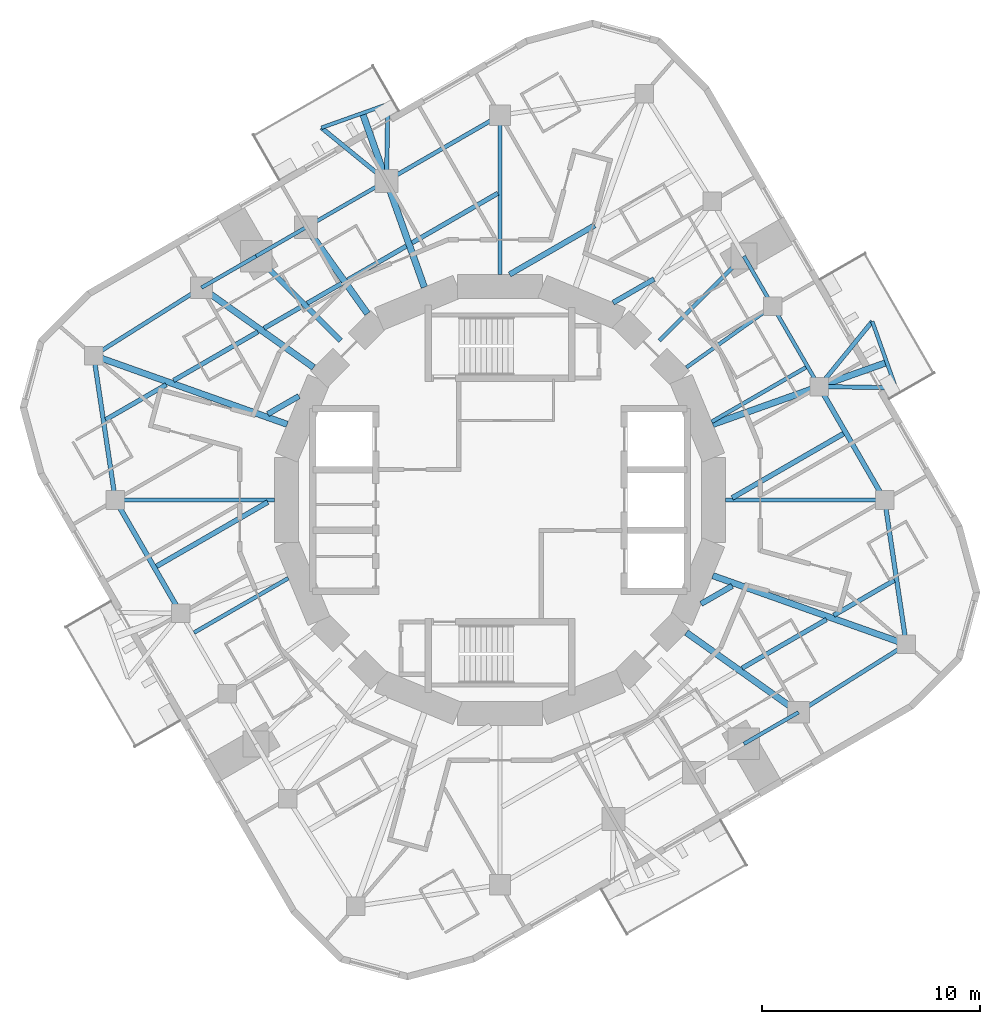
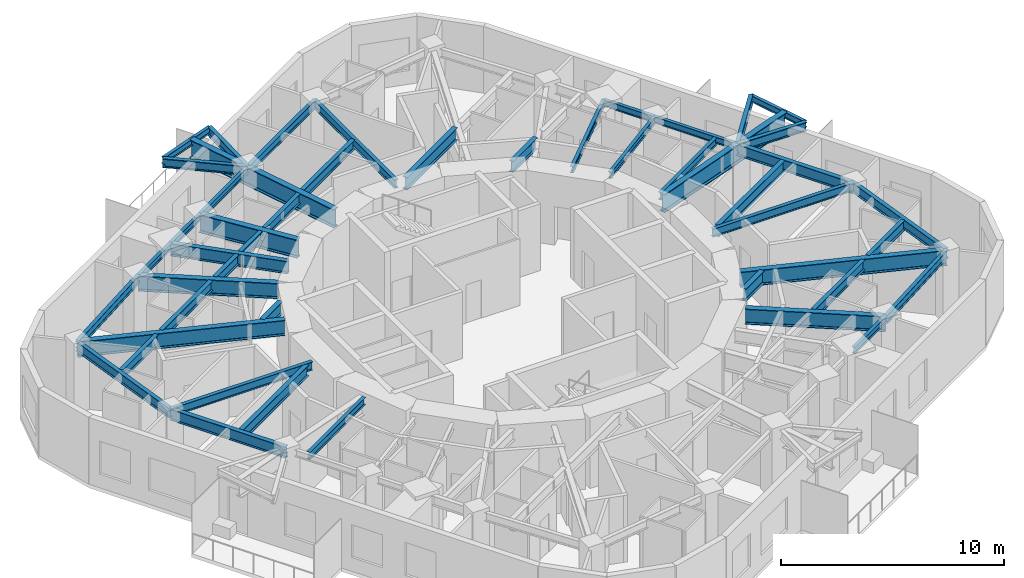
# One storey, part 2 of 11: 48 beams.
"""IFC4 building model written with IfcOpenShell, lengths in metres."""

from ifc_helpers import new_model, si_unit, direction, frame, origin, origin_2d, place, context, subcontext, project, spatial, i_section, extrude, material, material_profile, profile_set, type_object, element, save


model = new_model("IFC4")

# Units and contexts
model_context = context("Model", 3, precision=1e-05, world=origin(), true_north=direction((0.0, 1.0)))
body_context = subcontext(model_context, "Body", "Model", "MODEL_VIEW")
ifc_project = project(units=[si_unit("LENGTHUNIT", "METRE"), si_unit("AREAUNIT", "SQUARE_METRE"), si_unit("VOLUMEUNIT", "CUBIC_METRE"), si_unit("PLANEANGLEUNIT", "RADIAN"), si_unit("MASSUNIT", "GRAM", prefix="KILO")], contexts=[model_context])

# Site, building, storey
site_placement = place(None, origin())
site = spatial("IfcSite", under=ifc_project, at=site_placement, CompositionType="ELEMENT")
building_placement = place(site_placement, origin())
building = spatial("IfcBuilding", under=site, at=building_placement, Name="Nakasero Lantern House", CompositionType="ELEMENT")
storey_placement = place(building_placement, frame((0.0, 0.0, 230.800048828125)))
storey = spatial("IfcBuildingStorey", under=building, at=storey_placement, Name="L56", CompositionType="ELEMENT", Elevation=230.800048828125)

# Beams
ifc_material_1 = material(Name="Steel S355", Category="steel")
ifc_material_profile_1 = material_profile(ifc_material_1, i_section(OverallWidth=0.199462890625, OverallDepth=0.491943359375, WebThickness=0.01806640625, FlangeThickness=0.031982421875, FilletRadius=0.01025390625, at=origin_2d()), Name="UB 457x191x161")
ifc_profile_set_1 = profile_set([ifc_material_profile_1], Name="Steel S355")
beam_type_1 = type_object("IfcBeamType", Name="Balcony splay beam UB 457x191x161", PredefinedType="BEAM", material=ifc_profile_set_1)
beam_1_placement = place(storey_placement, frame((14.657958984375, 5.211669921875, 3.404052734375), z_axis=(0.632127727159, 0.774864205236, 0.0), x_axis=(-0.774864205236, 0.632127727159, 0.0)))
element("IfcBeam", 1, at=beam_1_placement, inside=storey, type_object=beam_type_1, Name="Balcony splay beam L57 B6-C04A", PredefinedType="BEAM", context=body_context, shape_type="SweptSolid", body=[
    extrude(i_section(OverallWidth=0.199462890625, OverallDepth=0.491943359375, WebThickness=0.01806640625, FlangeThickness=0.031982421875, FilletRadius=0.01025390625, at=origin_2d()), origin(), (0.0, 0.0, 1.0), 3.858642578125),
])
beam_2_placement = place(storey_placement, frame((14.657958984375, 5.211669921875, 3.404052734375), z_axis=(0.99985827803, -0.016835196893, 0.0), x_axis=(0.016835196893, 0.99985827803, 0.0)))
element("IfcBeam", 2, at=beam_2_placement, inside=storey, type_object=beam_type_1, Name="Balcony splay beam L57 B6-C04B", PredefinedType="BEAM", context=body_context, shape_type="SweptSolid", body=[
    extrude(i_section(OverallWidth=0.199462890625, OverallDepth=0.491943359375, WebThickness=0.01806640625, FlangeThickness=0.031982421875, FilletRadius=0.01025390625, at=origin_2d()), origin(), (0.0, 0.0, 1.0), 3.52392578125),
])
beam_3_placement = place(storey_placement, frame((-5.211669921875, 14.657958984375, 3.404052734375), z_axis=(-0.774864205236, 0.632127727159, 0.0), x_axis=(-0.632127727159, -0.774864205236, 0.0)))
element("IfcBeam", 3, at=beam_3_placement, inside=storey, type_object=beam_type_1, Name="Balcony splay beam L57 B6-C10A", PredefinedType="BEAM", context=body_context, shape_type="SweptSolid", body=[
    extrude(i_section(OverallWidth=0.199462890625, OverallDepth=0.491943359375, WebThickness=0.01806640625, FlangeThickness=0.031982421875, FilletRadius=0.01025390625, at=origin_2d()), origin(), (0.0, 0.0, 1.0), 3.858642578125),
])
beam_4_placement = place(storey_placement, frame((-5.211669921875, 14.657958984375, 3.404052734375), z_axis=(0.016835196893, 0.99985827803, 0.0), x_axis=(-0.99985827803, 0.016835196893, 0.0)))
element("IfcBeam", 4, at=beam_4_placement, inside=storey, type_object=beam_type_1, Name="Balcony splay beam L57 B6-C10B", PredefinedType="BEAM", context=body_context, shape_type="SweptSolid", body=[
    extrude(i_section(OverallWidth=0.199462890625, OverallDepth=0.491943359375, WebThickness=0.01806640625, FlangeThickness=0.031982421875, FilletRadius=0.01025390625, at=origin_2d()), origin(), (0.0, 0.0, 1.0), 3.52392578125),
])
ifc_material_2 = material(Name="Steel S355", Category="steel")
ifc_material_profile_2 = material_profile(ifc_material_2, i_section(OverallWidth=0.17138671875, OverallDepth=0.35498046875, WebThickness=0.00732421875, FlangeThickness=0.011474609375, FilletRadius=0.01025390625, at=origin_2d()), Name="UB 356x171x51")
ifc_profile_set_2 = profile_set([ifc_material_profile_2], Name="Steel S355")
beam_type_2 = type_object("IfcBeamType", Name="Balcony tie beam UB 356x171x51", PredefinedType="BEAM", material=ifc_profile_set_2)
for number, where, z_axis, x_axis, name in (
    (5, (17.09716796875, 8.20166015625, 3.472412109375), (0.335017108852, -0.942212044487, 0.0), (0.942212044487, 0.335017108852, 0.0), "Balcony tie beam L57 B6-C04"),
    (6, (-8.20166015625, 17.09716796875, 3.472412109375), (0.942212044487, 0.335017108852, 0.0), (-0.335017108852, 0.942212044487, 0.0), "Balcony tie beam L57 B6-C10"),
):
    element("IfcBeam", number, at=place(storey_placement, frame(where, z_axis=z_axis, x_axis=x_axis)), inside=storey, type_object=beam_type_2, Name=name, PredefinedType="BEAM", context=body_context, shape_type="SweptSolid", body=[
        extrude(i_section(OverallWidth=0.17138671875, OverallDepth=0.35498046875, WebThickness=0.00732421875, FlangeThickness=0.011474609375, FilletRadius=0.01025390625, at=origin_2d()), origin(), (0.0, 0.0, 1.0), 3.236328125),
    ])
ifc_material_3 = material(Name="Steel S355", Category="steel")
ifc_material_profile_3 = material_profile(ifc_material_3, i_section(OverallWidth=0.177978515625, OverallDepth=0.406494140625, WebThickness=0.0078125, FlangeThickness=0.0126953125, FilletRadius=0.01025390625, at=origin_2d()), Name="UB 406x178x60")
ifc_profile_set_3 = profile_set([ifc_material_profile_3], Name="Steel S355")
beam_type_3 = type_object("IfcBeamType", Name="Infill beam UB 406x178x60", PredefinedType="JOIST", material=ifc_profile_set_3)
for number, where, z_axis, x_axis, name in (
    (7, (9.72314453125, 3.5927734375, 3.44677734375), (0.866018808352, 0.500011423449, 0.0), (-0.500011423449, 0.866018808352, 0.0), "Infill beam L57 06.1"),
    (8, (-14.051025390625, -6.091552734375, 3.44677734375), (0.866018808352, 0.500011423449, 0.0), (-0.500011423449, 0.866018808352, 0.0), "Infill beam L57 07.1"),
):
    element("IfcBeam", number, at=place(storey_placement, frame(where, z_axis=z_axis, x_axis=x_axis)), inside=storey, type_object=beam_type_3, Name=name, PredefinedType="JOIST", context=body_context, shape_type="SweptSolid", body=[
        extrude(i_section(OverallWidth=0.177978515625, OverallDepth=0.406494140625, WebThickness=0.0078125, FlangeThickness=0.0126953125, FilletRadius=0.01025390625, at=origin_2d()), origin(), (0.0, 0.0, 1.0), 4.99755859375),
    ])
ifc_material_4 = material(Name="Steel S355", Category="steel")
ifc_material_profile_4 = material_profile(ifc_material_4, i_section(OverallWidth=0.2099609375, OverallDepth=0.53662109375, WebThickness=0.0107421875, FlangeThickness=0.017333984375, FilletRadius=0.0126953125, at=origin_2d()), Name="UB 533x210x101")
ifc_profile_set_4 = profile_set([ifc_material_profile_4], Name="Steel S355")
beam_type_4 = type_object("IfcBeamType", Name="Infill beam UB 533x210x101", PredefinedType="JOIST", material=ifc_profile_set_4)
beam_5_placement = place(storey_placement, frame((11.117431640625, -7.726318359375, 3.381591796875), z_axis=(0.866033989219, 0.499985129296, 0.0), x_axis=(-0.499985129296, 0.866033989219, 0.0)))
element("IfcBeam", 9, at=beam_5_placement, inside=storey, type_object=beam_type_4, Name="Infill beam L57 03.5", PredefinedType="JOIST", context=body_context, shape_type="SweptSolid", body=[
    extrude(i_section(OverallWidth=0.2099609375, OverallDepth=0.53662109375, WebThickness=0.0107421875, FlangeThickness=0.017333984375, FilletRadius=0.0126953125, at=origin_2d()), origin(), (0.0, 0.0, 1.0), 4.478759765625),
])
for number, where, z_axis, x_axis, name in (
    (10, (15.32861328125, -5.294921875, 3.381591796875), (0.866033858845, 0.49998535512, 0.0), (-0.49998535512, 0.866033858845, 0.0), "Infill beam L57 03.6"),
    (11, (-18.11328125, 3.687255859375, 3.381591796875), (0.866033858845, 0.49998535512, 0.0), (-0.49998535512, 0.866033858845, 0.0), "Infill beam L57 10.1"),
):
    element("IfcBeam", number, at=place(storey_placement, frame(where, z_axis=z_axis, x_axis=x_axis)), inside=storey, type_object=beam_type_4, Name=name, PredefinedType="JOIST", context=body_context, shape_type="SweptSolid", body=[
        extrude(i_section(OverallWidth=0.2099609375, OverallDepth=0.53662109375, WebThickness=0.0107421875, FlangeThickness=0.017333984375, FilletRadius=0.0126953125, at=origin_2d()), origin(), (0.0, 0.0, 1.0), 3.21533203125),
    ])
beam_6_placement = place(storey_placement, frame((-14.99609375, 5.487060546875, 3.381591796875), z_axis=(0.866033989219, 0.499985129296, 0.0), x_axis=(-0.499985129296, 0.866033989219, 0.0)))
element("IfcBeam", 12, at=beam_6_placement, inside=storey, type_object=beam_type_4, Name="Infill beam L57 10.2", PredefinedType="JOIST", context=body_context, shape_type="SweptSolid", body=[
    extrude(i_section(OverallWidth=0.2099609375, OverallDepth=0.53662109375, WebThickness=0.0107421875, FlangeThickness=0.017333984375, FilletRadius=0.0126953125, at=origin_2d()), origin(), (0.0, 0.0, 1.0), 4.478759765625),
])
beam_7_placement = place(storey_placement, frame((-10.839111328125, 7.88720703125, 3.381591796875), z_axis=(0.866073420066, 0.499916824138, 0.0), x_axis=(-0.499916824138, 0.866073420066, 0.0)))
element("IfcBeam", 13, at=beam_7_placement, inside=storey, type_object=beam_type_4, Name="Infill beam L57 10.3", PredefinedType="JOIST", context=body_context, shape_type="SweptSolid", body=[
    extrude(i_section(OverallWidth=0.2099609375, OverallDepth=0.53662109375, WebThickness=0.0107421875, FlangeThickness=0.017333984375, FilletRadius=0.0126953125, at=origin_2d()), origin(), (0.0, 0.0, 1.0), 2.029541015625),
])
beam_8_placement = place(storey_placement, frame((-8.85400390625, 9.033203125, 3.381591796875), z_axis=(0.866028611999, 0.499994443168, 0.0), x_axis=(-0.499994443168, 0.866028611999, 0.0)))
element("IfcBeam", 14, at=beam_8_placement, inside=storey, type_object=beam_type_4, Name="Infill beam L57 10.4", PredefinedType="JOIST", context=body_context, shape_type="SweptSolid", body=[
    extrude(i_section(OverallWidth=0.2099609375, OverallDepth=0.53662109375, WebThickness=0.0107421875, FlangeThickness=0.017333984375, FilletRadius=0.0126953125, at=origin_2d()), origin(), (0.0, 0.0, 1.0), 1.8388671875),
])
beam_9_placement = place(storey_placement, frame((-7.00048828125, 10.103271484375, 3.381591796875), z_axis=(0.866018346476, 0.500012223418, 0.0), x_axis=(-0.500012223418, 0.866018346476, 0.0)))
element("IfcBeam", 15, at=beam_9_placement, inside=storey, type_object=beam_type_4, Name="Infill beam L57 10.5", PredefinedType="JOIST", context=body_context, shape_type="SweptSolid", body=[
    extrude(i_section(OverallWidth=0.2099609375, OverallDepth=0.53662109375, WebThickness=0.0107421875, FlangeThickness=0.017333984375, FilletRadius=0.0126953125, at=origin_2d()), origin(), (0.0, 0.0, 1.0), 3.11181640625),
])
beam_10_placement = place(storey_placement, frame((-4.039794921875, 11.812744140625, 3.381591796875), z_axis=(0.866027576455, 0.499996236806, 0.0), x_axis=(-0.499996236806, 0.866027576455, 0.0)))
element("IfcBeam", 16, at=beam_10_placement, inside=storey, type_object=beam_type_4, Name="Infill beam L57 10.6", PredefinedType="JOIST", context=body_context, shape_type="SweptSolid", body=[
    extrude(i_section(OverallWidth=0.2099609375, OverallDepth=0.53662109375, WebThickness=0.0107421875, FlangeThickness=0.017333984375, FilletRadius=0.0126953125, at=origin_2d()), origin(), (0.0, 0.0, 1.0), 4.55419921875),
])
ifc_material_5 = material(Name="Steel S355", Category="steel")
ifc_material_profile_5 = material_profile(ifc_material_5, i_section(OverallWidth=0.22900390625, OverallDepth=0.6123046875, WebThickness=0.011962890625, FlangeThickness=0.01953125, FilletRadius=0.0126953125, at=origin_2d()), Name="UB 610x229x125")
ifc_profile_set_5 = profile_set([ifc_material_profile_5], Name="Steel S355")
beam_type_5 = type_object("IfcBeamType", Name="Infill beam UB 610x229x125", PredefinedType="JOIST", material=ifc_profile_set_5)
for number, where, z_axis, x_axis, name in (
    (17, (10.66455078125, 0.094970703125, 3.34375), (0.866025091885, 0.500000540226, 0.0), (-0.500000540226, 0.866025091885, 0.0), "Infill beam L57 05.3"),
    (18, (-15.776123046875, -3.046142578125, 3.34375), (0.866025091885, 0.500000540226, 0.0), (-0.500000540226, 0.866025091885, 0.0), "Infill beam L57 08.1"),
):
    element("IfcBeam", number, at=place(storey_placement, frame(where, z_axis=z_axis, x_axis=x_axis)), inside=storey, type_object=beam_type_5, Name=name, PredefinedType="JOIST", context=body_context, shape_type="SweptSolid", body=[
        extrude(i_section(OverallWidth=0.22900390625, OverallDepth=0.6123046875, WebThickness=0.011962890625, FlangeThickness=0.01953125, FilletRadius=0.0126953125, at=origin_2d()), origin(), (0.0, 0.0, 1.0), 5.90234375),
    ])
beam_11_placement = place(storey_placement, frame((5.19287109375, 9.060302734375, 3.34375), z_axis=(0.866043427695, 0.499968780372, 0.0), x_axis=(-0.499968780372, 0.866043427695, 0.0)))
element("IfcBeam", 19, at=beam_11_placement, inside=storey, type_object=beam_type_5, Name="Infill beam L57 08.2", PredefinedType="JOIST", context=body_context, shape_type="SweptSolid", body=[
    extrude(i_section(OverallWidth=0.22900390625, OverallDepth=0.6123046875, WebThickness=0.011962890625, FlangeThickness=0.01953125, FilletRadius=0.0126953125, at=origin_2d()), origin(), (0.0, 0.0, 1.0), 2.173583984375),
])
ifc_material_6 = material(Name="Steel S355", Category="steel")
ifc_material_profile_6 = material_profile(ifc_material_6, i_section(OverallWidth=0.253662109375, OverallDepth=0.68359375, WebThickness=0.012451171875, FlangeThickness=0.01904296875, FilletRadius=0.01513671875, at=origin_2d()), Name="UB 686x254x140")
ifc_profile_set_6 = profile_set([ifc_material_profile_6], Name="Steel S355")
beam_type_6 = type_object("IfcBeamType", Name="Infill beam UB 686x254x140", PredefinedType="JOIST", material=ifc_profile_set_6)
for number, where, z_axis, x_axis, name in (
    (20, (9.234619140625, -4.77197265625, 3.30810546875), (0.866050114754, 0.499957196903, 0.0), (-0.499957196903, 0.866050114754, 0.0), "Infill beam L57 04.3"),
    (21, (-10.6640625, 3.94677734375, 3.30810546875), (0.866050114754, 0.499957196903, 0.0), (-0.499957196903, 0.866050114754, 0.0), "Infill beam L57 09.1"),
):
    element("IfcBeam", number, at=place(storey_placement, frame(where, z_axis=z_axis, x_axis=x_axis)), inside=storey, type_object=beam_type_6, Name=name, PredefinedType="JOIST", context=body_context, shape_type="SweptSolid", body=[
        extrude(i_section(OverallWidth=0.253662109375, OverallDepth=0.68359375, WebThickness=0.012451171875, FlangeThickness=0.01904296875, FilletRadius=0.01513671875, at=origin_2d()), origin(), (0.0, 0.0, 1.0), 1.650634765625),
    ])
beam_12_placement = place(storey_placement, frame((0.4404296875, 10.35791015625, 3.30810546875), z_axis=(0.86603787505, 0.499978398512, 0.0), x_axis=(-0.499978398512, 0.86603787505, 0.0)))
element("IfcBeam", 22, at=beam_12_placement, inside=storey, type_object=beam_type_6, Name="Infill beam L57 09.2", PredefinedType="JOIST", context=body_context, shape_type="SweptSolid", body=[
    extrude(i_section(OverallWidth=0.253662109375, OverallDepth=0.68359375, WebThickness=0.012451171875, FlangeThickness=0.01904296875, FilletRadius=0.01513671875, at=origin_2d()), origin(), (0.0, 0.0, 1.0), 4.513916015625),
])
ifc_material_7 = material(Name="Steel S355", Category="steel")
ifc_material_profile_7 = material_profile(ifc_material_7, i_section(OverallWidth=0.300048828125, OverallDepth=1.0, WebThickness=0.01904296875, FlangeThickness=0.035888671875, FilletRadius=0.030029296875, at=origin_2d()), Name="UB 1016x305x314")
ifc_profile_set_7 = profile_set([ifc_material_profile_7], Name="Steel S355")
beam_type_7 = type_object("IfcBeamType", Name="Primary beam UB 1016x305x314, span to 6 m", PredefinedType="BEAM", material=ifc_profile_set_7)
beam_13_placement = place(storey_placement, frame((-8.906494140625, 12.524658203125, 3.14990234375), z_axis=(0.579513415446, -0.814962699342, 0.0), x_axis=(0.814962699342, 0.579513415446, 0.0)))
element("IfcBeam", 23, at=beam_13_placement, inside=storey, type_object=beam_type_7, Name="Primary beam L57 B6-C11", PredefinedType="BEAM", context=body_context, shape_type="SweptSolid", body=[
    extrude(i_section(OverallWidth=0.300048828125, OverallDepth=1.0, WebThickness=0.01904296875, FlangeThickness=0.035888671875, FilletRadius=0.030029296875, at=origin_2d()), origin(), (0.0, 0.0, 1.0), 4.8642578125),
])
ifc_material_8 = material(Name="Steel S355", Category="steel")
ifc_material_profile_8 = material_profile(ifc_material_8, i_section(OverallWidth=0.302001953125, OverallDepth=1.008056640625, WebThickness=0.02099609375, FlangeThickness=0.0400390625, FilletRadius=0.030029296875, at=origin_2d()), Name="UB 1016x305x349")
ifc_profile_set_8 = profile_set([ifc_material_profile_8], Name="Steel S355")
beam_type_8 = type_object("IfcBeamType", Name="Primary beam UB 1016x305x349, span to 6 m", PredefinedType="BEAM", material=ifc_profile_set_8)
for number, where, z_axis, x_axis, name in (
    (24, (17.767333984375, 6.317138671875, 3.14599609375), (-0.94222457875, -0.33498185503, 0.0), (0.33498185503, -0.94222457875, 0.0), "Primary beam L57 B6-C04"),
    (25, (-6.317138671875, 17.767333984375, 3.14599609375), (0.33498185503, -0.94222457875, 0.0), (0.94222457875, 0.33498185503, 0.0), "Primary beam L57 B6-C10"),
):
    element("IfcBeam", number, at=place(storey_placement, frame(where, z_axis=z_axis, x_axis=x_axis)), inside=storey, type_object=beam_type_8, Name=name, PredefinedType="BEAM", context=body_context, shape_type="SweptSolid", body=[
        extrude(i_section(OverallWidth=0.302001953125, OverallDepth=1.008056640625, WebThickness=0.02099609375, FlangeThickness=0.0400390625, FilletRadius=0.030029296875, at=origin_2d()), origin(), (0.0, 0.0, 1.0), 8.485595703125),
    ])
ifc_material_9 = material(Name="Steel S355", Category="steel")
ifc_material_profile_9 = material_profile(ifc_material_9, i_section(OverallWidth=0.17138671875, OverallDepth=0.35498046875, WebThickness=0.00732421875, FlangeThickness=0.011474609375, FilletRadius=0.01025390625, at=origin_2d()), Name="UB 356x171x51")
ifc_profile_set_9 = profile_set([ifc_material_profile_9], Name="Steel S355")
beam_type_9 = type_object("IfcBeamType", Name="Primary beam UB 356x171x51, span to 6 m", PredefinedType="BEAM", material=ifc_profile_set_9)
beam_14_placement = place(storey_placement, frame((12.524658203125, 8.906494140625, 3.472412109375), z_axis=(-0.814962699342, -0.579513415446, 0.0), x_axis=(0.579513415446, -0.814962699342, 0.0)))
element("IfcBeam", 26, at=beam_14_placement, inside=storey, type_object=beam_type_9, Name="Primary beam L57 B6-C05", PredefinedType="BEAM", context=body_context, shape_type="SweptSolid", body=[
    extrude(i_section(OverallWidth=0.17138671875, OverallDepth=0.35498046875, WebThickness=0.00732421875, FlangeThickness=0.011474609375, FilletRadius=0.01025390625, at=origin_2d()), origin(), (0.0, 0.0, 1.0), 4.8642578125),
])
beam_15_placement = place(storey_placement, frame((11.200439453125, 11.200439453125, 3.472412109375), z_axis=(-0.707106781187, -0.707106781187, 0.0), x_axis=(0.707106781187, -0.707106781187, 0.0)))
element("IfcBeam", 27, at=beam_15_placement, inside=storey, type_object=beam_type_9, Name="Primary beam L57 B6-C06", PredefinedType="BEAM", context=body_context, shape_type="SweptSolid", body=[
    extrude(i_section(OverallWidth=0.17138671875, OverallDepth=0.35498046875, WebThickness=0.00732421875, FlangeThickness=0.011474609375, FilletRadius=0.01025390625, at=origin_2d()), origin(), (0.0, 0.0, 1.0), 5.481689453125),
])
ifc_material_10 = material(Name="Steel S355", Category="steel")
ifc_material_profile_10 = material_profile(ifc_material_10, i_section(OverallWidth=0.18994140625, OverallDepth=0.453369140625, WebThickness=0.008544921875, FlangeThickness=0.0126953125, FilletRadius=0.01025390625, at=origin_2d()), Name="UB 457x191x67")
ifc_profile_set_10 = profile_set([ifc_material_profile_10], Name="Steel S355")
beam_type_10 = type_object("IfcBeamType", Name="Primary beam UB 457x191x67, span 6 to 9 m", PredefinedType="BEAM", material=ifc_profile_set_10)
for number, where, z_axis, x_axis, name in (
    (28, (17.6669921875, 0.0, 3.42333984375), (-1.0, 0.0, 0.0), (0.0, -1.0, 0.0), "Primary beam L57 B6-C03"),
    (29, (-17.6669921875, 0.0, 3.42333984375), (1.0, 0.0, 0.0), (0.0, 1.0, 0.0), "Primary beam L57 B6-C15"),
):
    element("IfcBeam", number, at=place(storey_placement, frame(where, z_axis=z_axis, x_axis=x_axis)), inside=storey, type_object=beam_type_10, Name=name, PredefinedType="BEAM", context=body_context, shape_type="SweptSolid", body=[
        extrude(i_section(OverallWidth=0.18994140625, OverallDepth=0.453369140625, WebThickness=0.008544921875, FlangeThickness=0.0126953125, FilletRadius=0.01025390625, at=origin_2d()), origin(), (0.0, 0.0, 1.0), 7.30908203125),
    ])
ifc_material_11 = material(Name="Steel S355", Category="steel")
ifc_material_profile_11 = material_profile(ifc_material_11, i_section(OverallWidth=0.19140625, OverallDepth=0.4599609375, WebThickness=0.010009765625, FlangeThickness=0.01611328125, FilletRadius=0.01025390625, at=origin_2d()), Name="UB 457x191x82")
ifc_profile_set_11 = profile_set([ifc_material_profile_11], Name="Steel S355")
beam_type_11 = type_object("IfcBeamType", Name="Primary beam UB 457x191x82, span 6 to 9 m", PredefinedType="BEAM", material=ifc_profile_set_11)
beam_16_placement = place(storey_placement, frame((0.0, 17.6669921875, 3.419921875), z_axis=(0.0, -1.0, 0.0), x_axis=(1.0, 0.0, 0.0)))
element("IfcBeam", 30, at=beam_16_placement, inside=storey, type_object=beam_type_11, Name="Primary beam L57 B6-C09", PredefinedType="BEAM", context=body_context, shape_type="SweptSolid", body=[
    extrude(i_section(OverallWidth=0.19140625, OverallDepth=0.4599609375, WebThickness=0.010009765625, FlangeThickness=0.01611328125, FilletRadius=0.01025390625, at=origin_2d()), origin(), (0.0, 0.0, 1.0), 7.30908203125),
])
ifc_material_12 = material(Name="Steel S355", Category="steel")
ifc_material_profile_12 = material_profile(ifc_material_12, i_section(OverallWidth=0.253662109375, OverallDepth=0.68359375, WebThickness=0.012451171875, FlangeThickness=0.01904296875, FilletRadius=0.01513671875, at=origin_2d()), Name="UB 686x254x140")
ifc_profile_set_12 = profile_set([ifc_material_profile_12], Name="Steel S355")
beam_type_12 = type_object("IfcBeamType", Name="Primary beam UB 686x254x140, span to 6 m", PredefinedType="BEAM", material=ifc_profile_set_12)
beam_17_placement = place(storey_placement, frame((-11.200439453125, 11.200439453125, 3.30810546875), z_axis=(0.707106781187, -0.707106781187, 0.0), x_axis=(0.707106781187, 0.707106781187, 0.0)))
element("IfcBeam", 31, at=beam_17_placement, inside=storey, type_object=beam_type_12, Name="Primary beam L57 B6-C12", PredefinedType="BEAM", context=body_context, shape_type="SweptSolid", body=[
    extrude(i_section(OverallWidth=0.253662109375, OverallDepth=0.68359375, WebThickness=0.012451171875, FlangeThickness=0.01904296875, FilletRadius=0.01513671875, at=origin_2d()), origin(), (0.0, 0.0, 1.0), 5.481689453125),
])
ifc_material_13 = material(Name="Steel S355", Category="steel")
ifc_material_profile_13 = material_profile(ifc_material_13, i_section(OverallWidth=0.29248046875, OverallDepth=0.8408203125, WebThickness=0.0146484375, FlangeThickness=0.02685546875, FilletRadius=0.017822265625, at=origin_2d()), Name="UB 838x292x194")
ifc_profile_set_13 = profile_set([ifc_material_profile_13], Name="Steel S355")
beam_type_13 = type_object("IfcBeamType", Name="Primary beam UB 838x292x194, span 6 to 9 m", PredefinedType="BEAM", material=ifc_profile_set_13)
for number, where, z_axis, x_axis, name in (
    (32, (13.711669921875, -9.75048828125, 3.2294921875), (-0.814968702178, 0.579504973637, 0.0), (-0.579504973637, -0.814968702178, 0.0), "Primary beam L57 B6-C01"),
    (33, (-13.711669921875, 9.75048828125, 3.2294921875), (0.814968702178, -0.579504973637, 0.0), (0.579504973637, 0.814968702178, 0.0), "Primary beam L57 B6-C13"),
):
    element("IfcBeam", number, at=place(storey_placement, frame(where, z_axis=z_axis, x_axis=x_axis)), inside=storey, type_object=beam_type_13, Name=name, PredefinedType="BEAM", context=body_context, shape_type="SweptSolid", body=[
        extrude(i_section(OverallWidth=0.29248046875, OverallDepth=0.8408203125, WebThickness=0.0146484375, FlangeThickness=0.02685546875, FilletRadius=0.017822265625, at=origin_2d()), origin(), (0.0, 0.0, 1.0), 6.320556640625),
    ])
ifc_material_14 = material(Name="Steel S355", Category="steel")
ifc_material_profile_14 = material_profile(ifc_material_14, i_section(OverallWidth=0.29248046875, OverallDepth=0.8408203125, WebThickness=0.0146484375, FlangeThickness=0.02685546875, FilletRadius=0.017822265625, at=origin_2d()), Name="UB 838x292x194")
ifc_profile_set_14 = profile_set([ifc_material_profile_14], Name="Steel S355")
beam_type_14 = type_object("IfcBeamType", Name="Primary beam UB 838x292x194, span 9 to 12 m", PredefinedType="BEAM", material=ifc_profile_set_14)
for number, where, z_axis, x_axis, name in (
    (34, (18.661376953125, -6.63525390625, 3.2294921875), (-0.942215779364, 0.335006604588, 0.0), (-0.335006604588, -0.942215779364, 0.0), "Primary beam L57 B6-C02"),
    (35, (-18.661376953125, 6.63525390625, 3.2294921875), (0.942215779364, -0.335006604588, 0.0), (0.335006604588, 0.942215779364, 0.0), "Primary beam L57 B6-C14"),
):
    element("IfcBeam", number, at=place(storey_placement, frame(where, z_axis=z_axis, x_axis=x_axis)), inside=storey, type_object=beam_type_14, Name=name, PredefinedType="BEAM", context=body_context, shape_type="SweptSolid", body=[
        extrude(i_section(OverallWidth=0.29248046875, OverallDepth=0.8408203125, WebThickness=0.0146484375, FlangeThickness=0.02685546875, FilletRadius=0.017822265625, at=origin_2d()), origin(), (0.0, 0.0, 1.0), 9.4345703125),
    ])
ifc_material_15 = material(Name="Steel S355", Category="steel")
ifc_material_profile_15 = material_profile(ifc_material_15, i_section(OverallWidth=0.17138671875, OverallDepth=0.35498046875, WebThickness=0.00732421875, FlangeThickness=0.011474609375, FilletRadius=0.01025390625, at=origin_2d()), Name="UB 356x171x51")
ifc_profile_set_15 = profile_set([ifc_material_profile_15], Name="Steel S355")
beam_type_15 = type_object("IfcBeamType", Name="Ring beam UB 356x171x51", PredefinedType="BEAM", material=ifc_profile_set_15)
beam_18_placement = place(storey_placement, frame((14.657958984375, 5.211669921875, 3.472412109375), z_axis=(-0.500016352561, 0.866015962423, 0.0), x_axis=(-0.866015962423, -0.500016352561, 0.0)))
element("IfcBeam", 36, at=beam_18_placement, inside=storey, type_object=beam_type_15, Name="Ring beam L57 B6-C04", PredefinedType="BEAM", context=body_context, shape_type="SweptSolid", body=[
    extrude(i_section(OverallWidth=0.17138671875, OverallDepth=0.35498046875, WebThickness=0.00732421875, FlangeThickness=0.011474609375, FilletRadius=0.01025390625, at=origin_2d()), origin(), (0.0, 0.0, 1.0), 4.266357421875),
])
beam_19_placement = place(storey_placement, frame((12.524658203125, 8.906494140625, 3.472412109375), z_axis=(-0.499945861543, 0.866056658381, 0.0), x_axis=(-0.866056658381, -0.499945861543, 0.0)))
element("IfcBeam", 37, at=beam_19_placement, inside=storey, type_object=beam_type_15, Name="Ring beam L57 B6-C05", PredefinedType="BEAM", context=body_context, shape_type="SweptSolid", body=[
    extrude(i_section(OverallWidth=0.17138671875, OverallDepth=0.35498046875, WebThickness=0.00732421875, FlangeThickness=0.011474609375, FilletRadius=0.01025390625, at=origin_2d()), origin(), (0.0, 0.0, 1.0), 2.648681640625),
])
beam_20_placement = place(storey_placement, frame((-5.211669921875, 14.657958984375, 3.472412109375), z_axis=(-0.866015962423, -0.500016352561, 0.0), x_axis=(0.500016352561, -0.866015962423, 0.0)))
element("IfcBeam", 38, at=beam_20_placement, inside=storey, type_object=beam_type_15, Name="Ring beam L57 B6-C10", PredefinedType="BEAM", context=body_context, shape_type="SweptSolid", body=[
    extrude(i_section(OverallWidth=0.17138671875, OverallDepth=0.35498046875, WebThickness=0.00732421875, FlangeThickness=0.011474609375, FilletRadius=0.01025390625, at=origin_2d()), origin(), (0.0, 0.0, 1.0), 4.266357421875),
])
beam_21_placement = place(storey_placement, frame((-8.906494140625, 12.524658203125, 3.472412109375), z_axis=(-0.866056658381, -0.499945861543, 0.0), x_axis=(0.499945861543, -0.866056658381, 0.0)))
element("IfcBeam", 39, at=beam_21_placement, inside=storey, type_object=beam_type_15, Name="Ring beam L57 B6-C11", PredefinedType="BEAM", context=body_context, shape_type="SweptSolid", body=[
    extrude(i_section(OverallWidth=0.17138671875, OverallDepth=0.35498046875, WebThickness=0.00732421875, FlangeThickness=0.011474609375, FilletRadius=0.01025390625, at=origin_2d()), origin(), (0.0, 0.0, 1.0), 2.648681640625),
])
for number, where, z_axis, x_axis, name in (
    (40, (-11.200439453125, 11.200439453125, 3.472412109375), (-0.866011727401, -0.500023687443, 0.0), (0.500023687443, -0.866011727401, 0.0), "Ring beam L57 B6-C12"),
    (41, (11.200439453125, -11.200439453125, 3.472412109375), (0.866011727401, 0.500023687443, 0.0), (-0.500023687443, 0.866011727401, 0.0), "Ring beam L57 B6-C24"),
):
    element("IfcBeam", number, at=place(storey_placement, frame(where, z_axis=z_axis, x_axis=x_axis)), inside=storey, type_object=beam_type_15, Name=name, PredefinedType="BEAM", context=body_context, shape_type="SweptSolid", body=[
        extrude(i_section(OverallWidth=0.17138671875, OverallDepth=0.35498046875, WebThickness=0.00732421875, FlangeThickness=0.011474609375, FilletRadius=0.01025390625, at=origin_2d()), origin(), (0.0, 0.0, 1.0), 2.899658203125),
    ])
ifc_material_16 = material(Name="Steel S355", Category="steel")
ifc_material_profile_16 = material_profile(ifc_material_16, i_section(OverallWidth=0.18994140625, OverallDepth=0.453369140625, WebThickness=0.008544921875, FlangeThickness=0.0126953125, FilletRadius=0.01025390625, at=origin_2d()), Name="UB 457x191x67")
ifc_profile_set_16 = profile_set([ifc_material_profile_16], Name="Steel S355")
beam_type_16 = type_object("IfcBeamType", Name="Ring beam UB 457x191x67", PredefinedType="BEAM", material=ifc_profile_set_16)
beam_22_placement = place(storey_placement, frame((13.711669921875, -9.75048828125, 3.42333984375), z_axis=(0.846329027393, 0.532660471024, 0.0), x_axis=(-0.532660471024, 0.846329027393, 0.0)))
element("IfcBeam", 42, at=beam_22_placement, inside=storey, type_object=beam_type_16, Name="Ring beam L57 B6-C01", PredefinedType="BEAM", context=body_context, shape_type="SweptSolid", body=[
    extrude(i_section(OverallWidth=0.18994140625, OverallDepth=0.453369140625, WebThickness=0.008544921875, FlangeThickness=0.0126953125, FilletRadius=0.01025390625, at=origin_2d()), origin(), (0.0, 0.0, 1.0), 5.848388671875),
])
beam_23_placement = place(storey_placement, frame((0.0, 17.6669921875, 3.42333984375), z_axis=(-0.866020066889, -0.50000924366, 0.0), x_axis=(0.50000924366, -0.866020066889, 0.0)))
element("IfcBeam", 43, at=beam_23_placement, inside=storey, type_object=beam_type_16, Name="Ring beam L57 B6-C09", PredefinedType="BEAM", context=body_context, shape_type="SweptSolid", body=[
    extrude(i_section(OverallWidth=0.18994140625, OverallDepth=0.453369140625, WebThickness=0.008544921875, FlangeThickness=0.0126953125, FilletRadius=0.01025390625, at=origin_2d()), origin(), (0.0, 0.0, 1.0), 6.01806640625),
])
beam_24_placement = place(storey_placement, frame((-13.711669921875, 9.75048828125, 3.42333984375), z_axis=(-0.846329027393, -0.532660471024, 0.0), x_axis=(0.532660471024, -0.846329027393, 0.0)))
element("IfcBeam", 44, at=beam_24_placement, inside=storey, type_object=beam_type_16, Name="Ring beam L57 B6-C13", PredefinedType="BEAM", context=body_context, shape_type="SweptSolid", body=[
    extrude(i_section(OverallWidth=0.18994140625, OverallDepth=0.453369140625, WebThickness=0.008544921875, FlangeThickness=0.0126953125, FilletRadius=0.01025390625, at=origin_2d()), origin(), (0.0, 0.0, 1.0), 5.848388671875),
])
ifc_material_17 = material(Name="Steel S355", Category="steel")
ifc_material_profile_17 = material_profile(ifc_material_17, i_section(OverallWidth=0.2099609375, OverallDepth=0.53662109375, WebThickness=0.0107421875, FlangeThickness=0.017333984375, FilletRadius=0.0126953125, at=origin_2d()), Name="UB 533x210x101")
ifc_profile_set_17 = profile_set([ifc_material_profile_17], Name="Steel S355")
beam_type_17 = type_object("IfcBeamType", Name="Ring beam UB 533x210x101", PredefinedType="BEAM", material=ifc_profile_set_17)
for number, where, z_axis, x_axis, name in (
    (45, (18.661376953125, -6.63525390625, 3.381591796875), (-0.148208778253, 0.988956095107, 0.0), (-0.988956095107, -0.148208778253, 0.0), "Ring beam L57 B6-C02"),
    (46, (-18.661376953125, 6.63525390625, 3.381591796875), (0.148208778253, -0.988956095107, 0.0), (0.988956095107, 0.148208778253, 0.0), "Ring beam L57 B6-C14"),
):
    element("IfcBeam", number, at=place(storey_placement, frame(where, z_axis=z_axis, x_axis=x_axis)), inside=storey, type_object=beam_type_17, Name=name, PredefinedType="BEAM", context=body_context, shape_type="SweptSolid", body=[
        extrude(i_section(OverallWidth=0.2099609375, OverallDepth=0.53662109375, WebThickness=0.0107421875, FlangeThickness=0.017333984375, FilletRadius=0.0126953125, at=origin_2d()), origin(), (0.0, 0.0, 1.0), 6.70947265625),
    ])
ifc_material_18 = material(Name="Steel S355", Category="steel")
ifc_material_profile_18 = material_profile(ifc_material_18, i_section(OverallWidth=0.22900390625, OverallDepth=0.6123046875, WebThickness=0.011962890625, FlangeThickness=0.01953125, FilletRadius=0.0126953125, at=origin_2d()), Name="UB 610x229x125")
ifc_profile_set_18 = profile_set([ifc_material_profile_18], Name="Steel S355")
beam_type_18 = type_object("IfcBeamType", Name="Ring beam UB 610x229x125", PredefinedType="BEAM", material=ifc_profile_set_18)
for number, where, z_axis, x_axis, name in (
    (47, (17.6669921875, 0.0, 3.34375), (-0.50000924366, 0.866020066889, 0.0), (-0.866020066889, -0.50000924366, 0.0), "Ring beam L57 B6-C03"),
    (48, (-17.6669921875, 0.0, 3.34375), (0.50000924366, -0.866020066889, 0.0), (0.866020066889, 0.50000924366, 0.0), "Ring beam L57 B6-C15"),
):
    element("IfcBeam", number, at=place(storey_placement, frame(where, z_axis=z_axis, x_axis=x_axis)), inside=storey, type_object=beam_type_18, Name=name, PredefinedType="BEAM", context=body_context, shape_type="SweptSolid", body=[
        extrude(i_section(OverallWidth=0.22900390625, OverallDepth=0.6123046875, WebThickness=0.011962890625, FlangeThickness=0.01953125, FilletRadius=0.0126953125, at=origin_2d()), origin(), (0.0, 0.0, 1.0), 6.01806640625),
    ])

save(model, "model.ifc")
